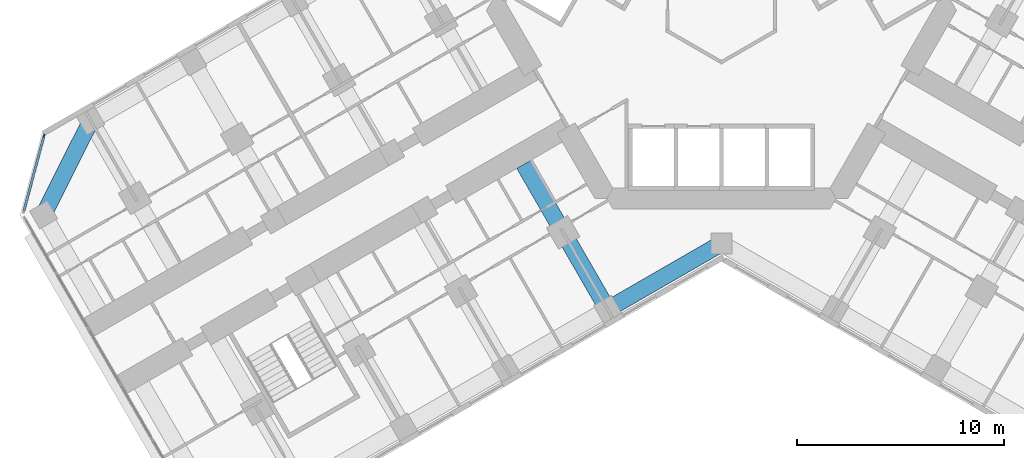
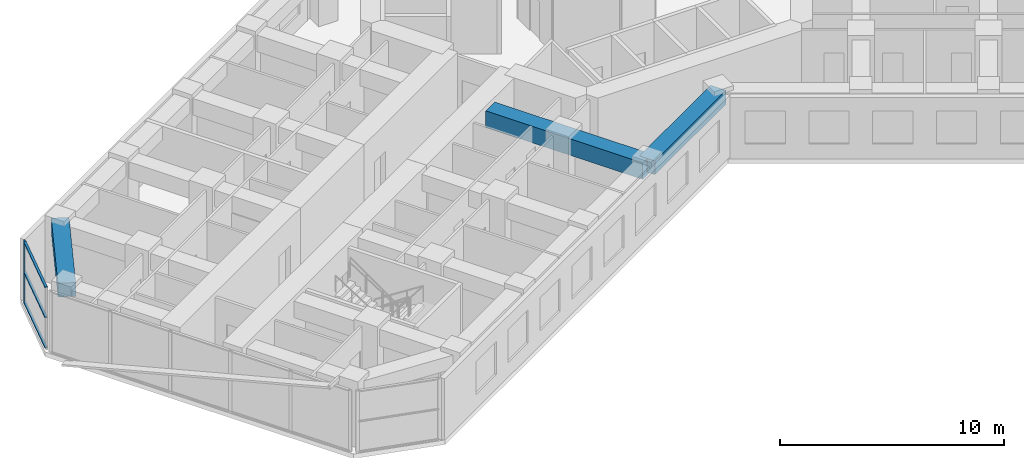
# One storey, part 3 of 21: 4 members, 3 beams, 1 element without a shape of its own.
"""IFC4 building model written with IfcOpenShell, lengths in metres."""

from ifc_helpers import new_model, si_unit, direction, frame, origin, origin_2d, place, context, subcontext, project, spatial, rectangle, extrude, material, material_profile, profile_set, type_object, element, aggregate, save


model = new_model("IFC4")

# Units and contexts
model_context = context("Model", 3, precision=1e-05, world=origin(), true_north=direction((0.0, 1.0)))
body_context = subcontext(model_context, "Body", "Model", "MODEL_VIEW")
ifc_project = project(units=[si_unit("LENGTHUNIT", "METRE"), si_unit("AREAUNIT", "SQUARE_METRE"), si_unit("VOLUMEUNIT", "CUBIC_METRE"), si_unit("PLANEANGLEUNIT", "RADIAN"), si_unit("MASSUNIT", "GRAM", prefix="KILO")], contexts=[model_context])

# Site, building, storey
site_placement = place(None, origin())
site = spatial("IfcSite", under=ifc_project, at=site_placement, CompositionType="ELEMENT")
building_placement = place(site_placement, origin())
building = spatial("IfcBuilding", under=site, at=building_placement, Name="Kosmar Iwan School Tower", CompositionType="ELEMENT")
storey_placement = place(building_placement, frame((0.0, 0.0, 68.199951171875)))
storey = spatial("IfcBuildingStorey", under=building, at=storey_placement, Name="L16", CompositionType="ELEMENT", Elevation=68.199951171875)

# Curtain wall, member
ifc_material_1 = material(Name="Dark glass in black aluminium frame", Category="aluminium")
curtain_wall_type = type_object("IfcCurtainWallType", Name="Chamfer curtain wall dark glass", PredefinedType="USERDEFINED", material=ifc_material_1)
curtain_wall_placement = place(storey_placement, origin())
curtain_wall = element("IfcCurtainWall", 1, at=curtain_wall_placement, inside=storey, type_object=curtain_wall_type, Name="Curtain wall L16-F12", ObjectType="FACETED CURTAIN WALL", PredefinedType="USERDEFINED")
ifc_material_2 = material(Name="Black anodised aluminium", Category="aluminium")
ifc_material_profile_1 = material_profile(ifc_material_2, rectangle(XDim=0.06005859375, YDim=0.159912109375, at=origin_2d()), Name="MULLION 60x160")
ifc_profile_set_1 = profile_set([ifc_material_profile_1], Name="Black anodised aluminium")
member_type_1 = type_object("IfcMemberType", Name="Mullion 60x160", PredefinedType="MULLION", material=ifc_profile_set_1)
member_1_placement = place(storey_placement, frame((-32.78076171875, -6.5732421875, 0.0), z_axis=(0.0, 0.0, 1.0), x_axis=(0.965925875495, -0.258818861462, 0.0)))
member_1 = element("IfcMember", 2, at=member_1_placement, type_object=member_type_1, Name="CW2 mullion 1", PredefinedType="MULLION", context=body_context, shape_type="SweptSolid", body=[
    extrude(rectangle(XDim=0.06005859375, YDim=0.159912109375, at=origin_2d()), origin(), (0.0, 0.0, 1.0), 3.35009765625),
])

# Beams
ifc_material_3 = material(Name="Concrete C50/60", Category="concrete")
ifc_material_profile_2 = material_profile(ifc_material_3, rectangle(XDim=0.800048828125, YDim=0.75, at=origin_2d()), Name="RC 800x750")
ifc_profile_set_2 = profile_set([ifc_material_profile_2], Name="Concrete C50/60")
beam_type_1 = type_object("IfcBeamType", Name="RC edge beam 800x750", PredefinedType="BEAM", material=ifc_profile_set_2)
beam_1_placement = place(storey_placement, frame((0.0, -11.77783203125, 2.97509765625), z_axis=(-0.866014293216, -0.500019243575, 0.0), x_axis=(0.500019243575, -0.866014293216, 0.0)))
element("IfcBeam", 3, at=beam_1_placement, inside=storey, type_object=beam_type_1, Name="Edge beam BL1", PredefinedType="BEAM", context=body_context, shape_type="SweptSolid", body=[
    extrude(rectangle(XDim=0.800048828125, YDim=0.75, at=origin_2d()), origin(), (0.0, 0.0, 1.0), 6.361083984375),
])
ifc_material_4 = material(Name="Concrete C50/60", Category="concrete")
ifc_material_profile_3 = material_profile(ifc_material_4, rectangle(XDim=0.800048828125, YDim=0.75, at=origin_2d()), Name="RC 800x750")
ifc_profile_set_3 = profile_set([ifc_material_profile_3], Name="Concrete C50/60")
beam_type_2 = type_object("IfcBeamType", Name="RC tip beam 800x750", PredefinedType="BEAM", material=ifc_profile_set_3)
beam_2_placement = place(storey_placement, frame((-30.517822265625, -5.841552734375, 2.97509765625), z_axis=(-0.44809604203, -0.893985423325, 0.0), x_axis=(0.893985423325, -0.44809604203, 0.0)))
element("IfcBeam", 4, at=beam_2_placement, inside=storey, type_object=beam_type_2, Name="Tip beam BR", PredefinedType="BEAM", context=body_context, shape_type="SweptSolid", body=[
    extrude(rectangle(XDim=0.800048828125, YDim=0.75, at=origin_2d()), origin(), (0.0, 0.0, 1.0), 5.08935546875),
])
ifc_material_5 = material(Name="Concrete C50/60", Category="concrete")
ifc_material_profile_4 = material_profile(ifc_material_5, rectangle(XDim=0.800048828125, YDim=0.89990234375, at=origin_2d()), Name="RC 800x900")
ifc_profile_set_4 = profile_set([ifc_material_profile_4], Name="Concrete C50/60")
beam_type_3 = type_object("IfcBeamType", Name="RC transverse beam 800x900", PredefinedType="BEAM", material=ifc_profile_set_4)
beam_3_placement = place(storey_placement, frame((-5.5087890625, -14.95849609375, 2.900146484375), z_axis=(-0.499999880539, 0.866025472755, 0.0), x_axis=(-0.866025472755, -0.499999880539, 0.0)))
element("IfcBeam", 5, at=beam_3_placement, inside=storey, type_object=beam_type_3, Name="Transverse beam BL1", PredefinedType="BEAM", context=body_context, shape_type="SweptSolid", body=[
    extrude(rectangle(XDim=0.800048828125, YDim=0.89990234375, at=origin_2d()), origin(), (0.0, 0.0, 1.0), 8.10009765625),
])

# Member
ifc_material_6 = material(Name="Black anodised aluminium", Category="aluminium")
ifc_material_profile_5 = material_profile(ifc_material_6, rectangle(XDim=0.1201171875, YDim=0.06005859375, at=origin_2d()), Name="TRANSOM 60x120")
ifc_profile_set_5 = profile_set([ifc_material_profile_5], Name="Black anodised aluminium")
member_type_2 = type_object("IfcMemberType", Name="Transom 60x120", PredefinedType="USERDEFINED", material=ifc_profile_set_5)
member_2_placement = place(storey_placement, frame((-32.788330078125, -6.602294921875, 0.030029296875), z_axis=(-0.258843273983, -0.965919333854, 0.0), x_axis=(0.965919333854, -0.258843273983, 0.0)))
member_2 = element("IfcMember", 6, at=member_2_placement, type_object=member_type_2, Name="CW2 transom 1.1", ObjectType="TRANSOM", PredefinedType="USERDEFINED", context=body_context, shape_type="SweptSolid", body=[
    extrude(rectangle(XDim=0.1201171875, YDim=0.06005859375, at=origin_2d()), origin(), (0.0, 0.0, 1.0), 3.718994140625),
])

member_3_placement = place(storey_placement, frame((-32.788330078125, -6.602294921875, 1.675048828125), z_axis=(-0.258843273983, -0.965919333854, 0.0), x_axis=(0.965919333854, -0.258843273983, 0.0)))
member_3 = element("IfcMember", 7, at=member_3_placement, type_object=member_type_2, Name="CW2 transom 1.2", ObjectType="TRANSOM", PredefinedType="USERDEFINED", context=body_context, shape_type="SweptSolid", body=[
    extrude(rectangle(XDim=0.1201171875, YDim=0.06005859375, at=origin_2d()), origin(), (0.0, 0.0, 1.0), 3.718994140625),
])

member_4_placement = place(storey_placement, frame((-32.788330078125, -6.602294921875, 3.320068359375), z_axis=(-0.258843273983, -0.965919333854, 0.0), x_axis=(0.965919333854, -0.258843273983, 0.0)))
member_4 = element("IfcMember", 8, at=member_4_placement, type_object=member_type_2, Name="CW2 transom 1.3", ObjectType="TRANSOM", PredefinedType="USERDEFINED", context=body_context, shape_type="SweptSolid", body=[
    extrude(rectangle(XDim=0.1201171875, YDim=0.06005859375, at=origin_2d()), origin(), (0.0, 0.0, 1.0), 3.718994140625),
])

aggregate(curtain_wall, [member_1, member_2, member_3, member_4])

save(model, "model.ifc")
